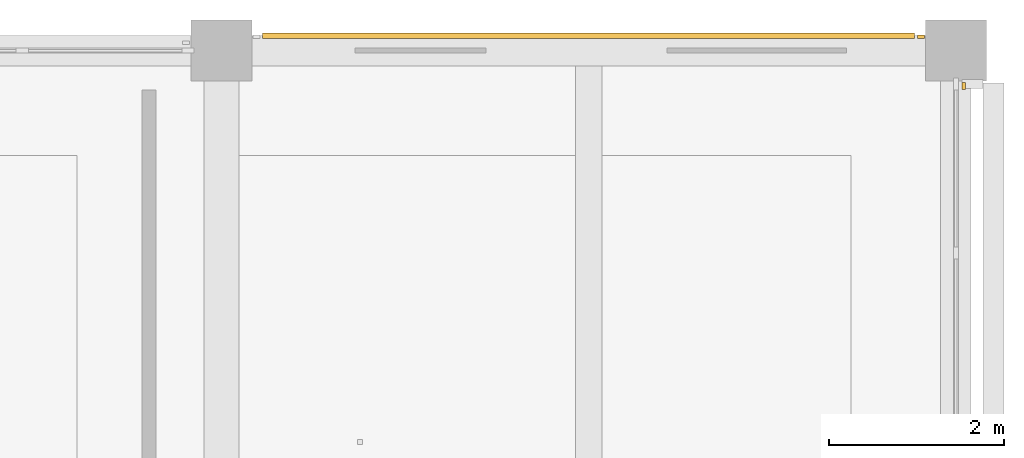
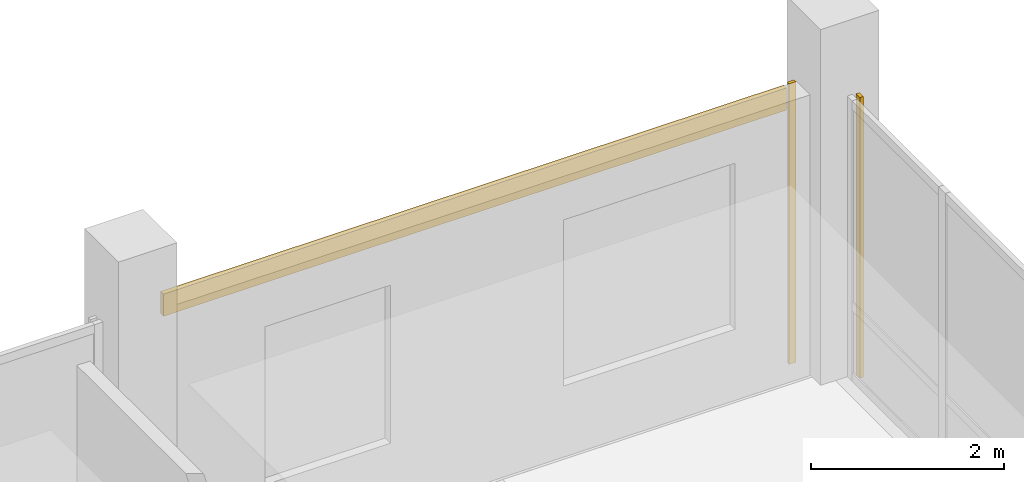
# One storey, part 32 of 32: 3 coverings.
"""IFC4 building model written with IfcOpenShell, lengths in metres."""

from ifc_helpers import new_model, si_unit, direction, frame, origin, origin_2d, place, context, subcontext, project, spatial, rectangle, extrude, material, layer, layer_set, type_object, element, save


model = new_model("IFC4")

# Units and contexts
model_context = context("Model", 3, precision=1e-05, world=origin(), true_north=direction((0.0, 1.0)))
body_context = subcontext(model_context, "Body", "Model", "MODEL_VIEW")
ifc_project = project(units=[si_unit("LENGTHUNIT", "METRE"), si_unit("AREAUNIT", "SQUARE_METRE"), si_unit("VOLUMEUNIT", "CUBIC_METRE"), si_unit("PLANEANGLEUNIT", "RADIAN"), si_unit("MASSUNIT", "GRAM", prefix="KILO")], contexts=[model_context])

# Site, building, storey
site_placement = place(None, origin())
site = spatial("IfcSite", under=ifc_project, at=site_placement, CompositionType="ELEMENT")
building_placement = place(site_placement, origin())
building = spatial("IfcBuilding", under=site, at=building_placement, Name="Telukmera Botanical Conservatory", CompositionType="ELEMENT")
storey_placement = place(building_placement, frame((0.0, 0.0, 42.0)))
storey = spatial("IfcBuildingStorey", under=building, at=storey_placement, Name="L09", CompositionType="ELEMENT", Elevation=42.0)

# Coverings
ifc_material_1 = material(Name="Granite-faced precast concrete C40/50", Category="masonry")
ifc_layer_1 = layer(ifc_material_1, 0.0400390625)
ifc_layer_set_1 = layer_set([ifc_layer_1], Name="Granite-faced precast concrete C40/50")
covering_type_1 = type_object("IfcCoveringType", Name="Granite Precast Column Pier Reveal Casing", PredefinedType="CLADDING", material=ifc_layer_set_1)
for number, where, z_axis, x_axis, name in (
    (1, (100.39794921875, 42.9599609375, 0.0), (0.0, 0.0, 1.0), (1.0, 0.0, 0.0), "Granite Pier Reveal V4:L09:N6 R"),
    (2, (100.889892578125, 42.39794921875, 0.0), (0.0, 0.0, 1.0), (0.0, 1.0, 0.0), "Granite Pier Reveal V4:L09:E4 R"),
):
    element("IfcCovering", number, at=place(storey_placement, frame(where, z_axis=z_axis, x_axis=x_axis)), inside=storey, type_object=covering_type_1, Name=name, PredefinedType="CLADDING", context=body_context, shape_type="SweptSolid", body=[
        extrude(rectangle(XDim=0.080078125, YDim=0.0400390625, at=origin_2d()), origin(), (0.0, 0.0, 1.0), 3.550048828125),
    ])
ifc_material_2 = material(Name="Terracotta-faced precast concrete C40/50", Category="masonry")
ifc_layer_2 = layer(ifc_material_2, 0.06005859375)
ifc_layer_set_2 = layer_set([ifc_layer_2], Name="Terracotta-faced precast concrete C40/50")
covering_type_2 = type_object("IfcCoveringType", Name="Polychrome Terracotta Facade Band Cladding", PredefinedType="CLADDING", material=ifc_layer_set_2)
covering_placement = place(storey_placement, frame((96.60009765625, 42.969970703125, 3.22998046875), z_axis=(0.0, 0.0, 1.0), x_axis=(1.0, 0.0, 0.0)))
element("IfcCovering", 3, at=covering_placement, inside=storey, type_object=covering_type_2, Name="Polychrome Terracotta Band V4:L09:N6", PredefinedType="CLADDING", context=body_context, shape_type="SweptSolid", body=[
    extrude(rectangle(XDim=7.4560546875, YDim=0.06005859375, at=origin_2d()), origin(), (0.0, 0.0, 1.0), 0.280029296875),
])

save(model, "model.ifc")
